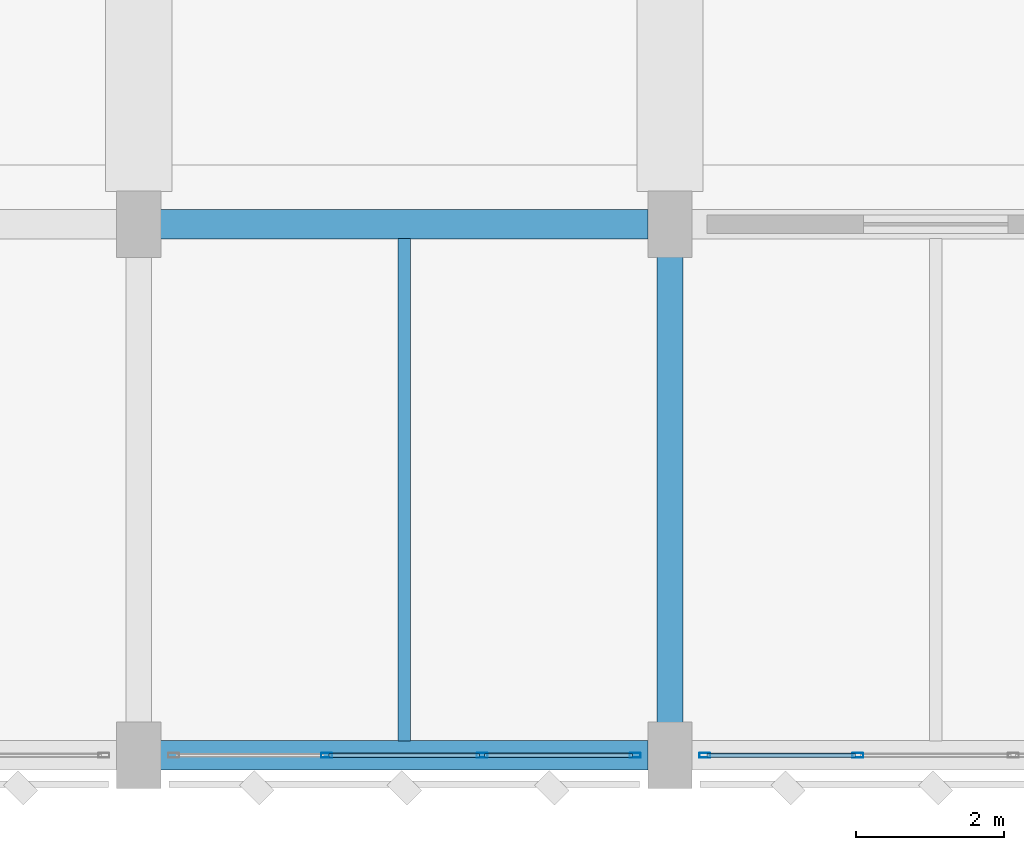
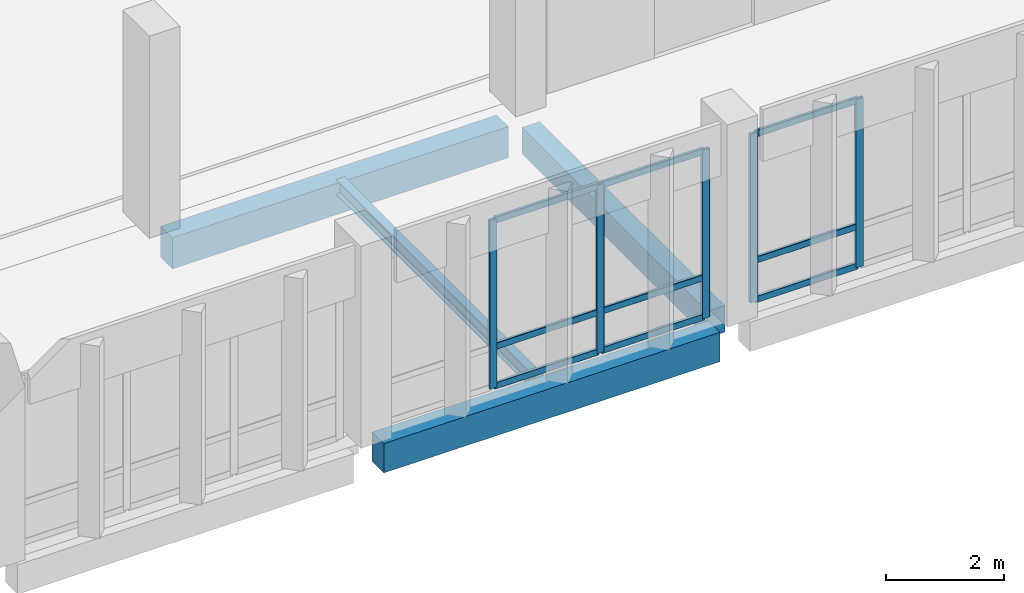
# One storey, part 75 of 158: 14 members, 4 beams, 2 elements without a shape of their own.
"""IFC4 building model written with IfcOpenShell, lengths in metres."""

from ifc_helpers import new_model, si_unit, direction, frame, origin, origin_2d, place, context, subcontext, project, spatial, rectangle, hollow_rectangle, i_section, extrude, material, material_profile, profile_set, type_object, element, aggregate, save


model = new_model("IFC4")

# Units and contexts
model_context = context("Model", 3, precision=1e-05, world=origin(), true_north=direction((0.0, 1.0)))
body_context = subcontext(model_context, "Body", "Model", "MODEL_VIEW")
ifc_project = project(units=[si_unit("LENGTHUNIT", "METRE"), si_unit("AREAUNIT", "SQUARE_METRE"), si_unit("VOLUMEUNIT", "CUBIC_METRE"), si_unit("PLANEANGLEUNIT", "RADIAN"), si_unit("MASSUNIT", "GRAM", prefix="KILO")], contexts=[model_context])

# Site, building, storey
site_placement = place(None, origin())
site = spatial("IfcSite", under=ifc_project, at=site_placement, CompositionType="ELEMENT")
building_placement = place(site_placement, origin())
building = spatial("IfcBuilding", under=site, at=building_placement, Name="Lusvemor Sports Hall", CompositionType="ELEMENT")
storey_placement = place(building_placement, frame((0.0, 0.0, 10.800048828125)))
storey = spatial("IfcBuildingStorey", under=building, at=storey_placement, Name="L02", CompositionType="ELEMENT", Elevation=10.800048828125)

# Beams
ifc_material_1 = material(Name="Concrete C40/50", Category="concrete")
ifc_material_profile_1 = material_profile(ifc_material_1, rectangle(XDim=0.35009765625, YDim=0.550048828125, at=origin_2d()), Name="RC350x550")
ifc_profile_set_1 = profile_set([ifc_material_profile_1], Name="Concrete C40/50")
beam_type_1 = type_object("IfcBeamType", Name="BEAM_RC_550", PredefinedType="BEAM", material=ifc_profile_set_1)
beam_1_placement = place(storey_placement, frame((147.60009765625, 0.446044921875, -0.53515625), z_axis=(0.0, 1.0, 0.0), x_axis=(-1.0, 0.0, 0.0)))
element("IfcBeam", 1, at=beam_1_placement, inside=storey, type_object=beam_type_1, Name="Beam L02 17:A-B", PredefinedType="BEAM", context=body_context, shape_type="SweptSolid", body=[
    extrude(rectangle(XDim=0.35009765625, YDim=0.550048828125, at=origin_2d()), origin(), (0.0, 0.0, 1.0), 6.307861328125),
])
ifc_material_2 = material(Name="Concrete C40/50", Category="concrete")
ifc_material_profile_2 = material_profile(ifc_material_2, rectangle(XDim=0.39990234375, YDim=0.64990234375, at=origin_2d()), Name="RC400x650")
ifc_profile_set_2 = profile_set([ifc_material_profile_2], Name="Concrete C40/50")
beam_type_2 = type_object("IfcBeamType", Name="BEAM_RC_650", PredefinedType="BEAM", material=ifc_profile_set_2)
beam_2_placement = place(storey_placement, frame((140.696044921875, 7.199951171875, -0.675048828125), z_axis=(1.0, 0.0, 0.0), x_axis=(0.0, 1.0, 0.0)))
element("IfcBeam", 2, at=beam_2_placement, inside=storey, type_object=beam_type_2, Name="Beam L02 B:16-17", PredefinedType="BEAM", context=body_context, shape_type="SweptSolid", body=[
    extrude(rectangle(XDim=0.39990234375, YDim=0.64990234375, at=origin_2d()), origin(), (0.0, 0.0, 1.0), 6.60791015625),
])

# Curtain wall, members
ifc_material_3 = material(Name="Thermally broken bronze-anodized aluminium", Category="aluminium")
curtain_wall_type = type_object("IfcCurtainWallType", Name="CW_COURT_C", PredefinedType="NOTDEFINED", material=ifc_material_3)
curtain_wall_1_placement = place(storey_placement, origin())
curtain_wall_1 = element("IfcCurtainWall", 3, at=curtain_wall_1_placement, inside=storey, type_object=curtain_wall_type, Name="Curtain Wall CW-V2S-L02-3", PredefinedType="NOTDEFINED")
ifc_material_4 = material(Name="Thermally broken bronze-anodized aluminium", Category="aluminium")
ifc_material_profile_3 = material_profile(ifc_material_4, hollow_rectangle(XDim=0.06494140625, YDim=0.14990234375, WallThickness=0.00390625, InnerFilletRadius=0.00390625, OuterFilletRadius=0.008056640625, at=origin_2d()), Name="CWMUL150x65x4")
ifc_profile_set_3 = profile_set([ifc_material_profile_3], Name="Thermally broken bronze-anodized aluminium")
member_type_1 = type_object("IfcMemberType", Name="CW_MUL_B", PredefinedType="MULLION", material=ifc_profile_set_3)
member_1_placement = place(storey_placement, frame((147.12744140625, 0.0, 0.0), z_axis=(0.0, 0.0, 1.0), x_axis=(0.0, -1.0, 0.0)))
member_1 = element("IfcMember", 4, at=member_1_placement, type_object=member_type_1, Name="CW03 mullion 1", PredefinedType="MULLION", context=body_context, shape_type="SweptSolid", body=[
    extrude(hollow_rectangle(XDim=0.06494140625, YDim=0.14990234375, WallThickness=0.00390625, InnerFilletRadius=0.00390625, OuterFilletRadius=0.008056640625, at=origin_2d()), origin(), (0.0, 0.0, 1.0), 3.5),
])
member_2_placement = place(storey_placement, frame((145.05322265625, 0.0, 0.0), z_axis=(0.0, 0.0, 1.0), x_axis=(0.0, -1.0, 0.0)))
member_2 = element("IfcMember", 5, at=member_2_placement, type_object=member_type_1, Name="CW03 mullion 2", PredefinedType="MULLION", context=body_context, shape_type="SweptSolid", body=[
    extrude(hollow_rectangle(XDim=0.06494140625, YDim=0.14990234375, WallThickness=0.00390625, InnerFilletRadius=0.00390625, OuterFilletRadius=0.008056640625, at=origin_2d()), origin(), (0.0, 0.0, 1.0), 3.5),
])
member_3_placement = place(storey_placement, frame((142.94677734375, 0.0, 0.0), z_axis=(0.0, 0.0, 1.0), x_axis=(0.0, -1.0, 0.0)))
member_3 = element("IfcMember", 6, at=member_3_placement, type_object=member_type_1, Name="CW03 mullion 3", PredefinedType="MULLION", context=body_context, shape_type="SweptSolid", body=[
    extrude(hollow_rectangle(XDim=0.06494140625, YDim=0.14990234375, WallThickness=0.00390625, InnerFilletRadius=0.00390625, OuterFilletRadius=0.008056640625, at=origin_2d()), origin(), (0.0, 0.0, 1.0), 3.5),
])

curtain_wall_2_placement = place(storey_placement, origin())
curtain_wall_2 = element("IfcCurtainWall", 7, at=curtain_wall_2_placement, inside=storey, type_object=curtain_wall_type, Name="Curtain Wall CW-V2S-L02-4", PredefinedType="NOTDEFINED")
member_4_placement = place(storey_placement, frame((150.146728515625, 0.0, 0.0), z_axis=(0.0, 0.0, 1.0), x_axis=(0.0, -1.0, 0.0)))
member_4 = element("IfcMember", 8, at=member_4_placement, type_object=member_type_1, Name="CW03 mullion 3", PredefinedType="MULLION", context=body_context, shape_type="SweptSolid", body=[
    extrude(hollow_rectangle(XDim=0.06494140625, YDim=0.14990234375, WallThickness=0.00390625, InnerFilletRadius=0.00390625, OuterFilletRadius=0.008056640625, at=origin_2d()), origin(), (0.0, 0.0, 1.0), 3.5),
])
member_5_placement = place(storey_placement, frame((148.072509765625, 0.0, 0.0), z_axis=(0.0, 0.0, 1.0), x_axis=(0.0, -1.0, 0.0)))
member_5 = element("IfcMember", 9, at=member_5_placement, type_object=member_type_1, Name="CW03 mullion 4", PredefinedType="MULLION", context=body_context, shape_type="SweptSolid", body=[
    extrude(hollow_rectangle(XDim=0.06494140625, YDim=0.14990234375, WallThickness=0.00390625, InnerFilletRadius=0.00390625, OuterFilletRadius=0.008056640625, at=origin_2d()), origin(), (0.0, 0.0, 1.0), 3.5),
])

# Member
ifc_material_5 = material(Name="Thermally broken bronze-anodized aluminium", Category="aluminium")
ifc_material_profile_4 = material_profile(ifc_material_5, hollow_rectangle(XDim=0.06005859375, YDim=0.135009765625, WallThickness=0.00390625, InnerFilletRadius=0.00390625, OuterFilletRadius=0.008056640625, at=origin_2d()), Name="CWTRN135x60x4")
ifc_profile_set_4 = profile_set([ifc_material_profile_4], Name="Thermally broken bronze-anodized aluminium")
member_type_2 = type_object("IfcMemberType", Name="CW_TRN_B", PredefinedType="USERDEFINED", material=ifc_profile_set_4)
member_6_placement = place(storey_placement, frame((147.094970703125, 0.0, 0.030029296875), z_axis=(-1.0, 0.0, 0.0), x_axis=(0.0, -1.0, 0.0)))
member_6 = element("IfcMember", 10, at=member_6_placement, type_object=member_type_2, Name="CW03 transom 1.1", ObjectType="TRANSOM", PredefinedType="USERDEFINED", context=body_context, shape_type="SweptSolid", body=[
    extrude(hollow_rectangle(XDim=0.06005859375, YDim=0.135009765625, WallThickness=0.00390625, InnerFilletRadius=0.00390625, OuterFilletRadius=0.008056640625, at=origin_2d()), origin(), (0.0, 0.0, 1.0), 2.009033203125),
])

member_7_placement = place(storey_placement, frame((147.094970703125, 0.0, 0.849853515625), z_axis=(-1.0, 0.0, 0.0), x_axis=(0.0, -1.0, 0.0)))
member_7 = element("IfcMember", 11, at=member_7_placement, type_object=member_type_2, Name="CW03 transom 1.2", ObjectType="TRANSOM", PredefinedType="USERDEFINED", context=body_context, shape_type="SweptSolid", body=[
    extrude(hollow_rectangle(XDim=0.06005859375, YDim=0.135009765625, WallThickness=0.00390625, InnerFilletRadius=0.00390625, OuterFilletRadius=0.008056640625, at=origin_2d()), origin(), (0.0, 0.0, 1.0), 2.009033203125),
])

member_8_placement = place(storey_placement, frame((147.094970703125, 0.0, 3.469970703125), z_axis=(-1.0, 0.0, 0.0), x_axis=(0.0, -1.0, 0.0)))
member_8 = element("IfcMember", 12, at=member_8_placement, type_object=member_type_2, Name="CW03 transom 1.3", ObjectType="TRANSOM", PredefinedType="USERDEFINED", context=body_context, shape_type="SweptSolid", body=[
    extrude(hollow_rectangle(XDim=0.06005859375, YDim=0.135009765625, WallThickness=0.00390625, InnerFilletRadius=0.00390625, OuterFilletRadius=0.008056640625, at=origin_2d()), origin(), (0.0, 0.0, 1.0), 2.009033203125),
])

member_9_placement = place(storey_placement, frame((145.020751953125, 0.0, 0.030029296875), z_axis=(-1.0, 0.0, 0.0), x_axis=(0.0, -1.0, 0.0)))
member_9 = element("IfcMember", 13, at=member_9_placement, type_object=member_type_2, Name="CW03 transom 2.1", ObjectType="TRANSOM", PredefinedType="USERDEFINED", context=body_context, shape_type="SweptSolid", body=[
    extrude(hollow_rectangle(XDim=0.06005859375, YDim=0.135009765625, WallThickness=0.00390625, InnerFilletRadius=0.00390625, OuterFilletRadius=0.008056640625, at=origin_2d()), origin(), (0.0, 0.0, 1.0), 2.04150390625),
])

member_10_placement = place(storey_placement, frame((145.020751953125, 0.0, 0.849853515625), z_axis=(-1.0, 0.0, 0.0), x_axis=(0.0, -1.0, 0.0)))
member_10 = element("IfcMember", 14, at=member_10_placement, type_object=member_type_2, Name="CW03 transom 2.2", ObjectType="TRANSOM", PredefinedType="USERDEFINED", context=body_context, shape_type="SweptSolid", body=[
    extrude(hollow_rectangle(XDim=0.06005859375, YDim=0.135009765625, WallThickness=0.00390625, InnerFilletRadius=0.00390625, OuterFilletRadius=0.008056640625, at=origin_2d()), origin(), (0.0, 0.0, 1.0), 2.04150390625),
])

member_11_placement = place(storey_placement, frame((145.020751953125, 0.0, 3.469970703125), z_axis=(-1.0, 0.0, 0.0), x_axis=(0.0, -1.0, 0.0)))
member_11 = element("IfcMember", 15, at=member_11_placement, type_object=member_type_2, Name="CW03 transom 2.3", ObjectType="TRANSOM", PredefinedType="USERDEFINED", context=body_context, shape_type="SweptSolid", body=[
    extrude(hollow_rectangle(XDim=0.06005859375, YDim=0.135009765625, WallThickness=0.00390625, InnerFilletRadius=0.00390625, OuterFilletRadius=0.008056640625, at=origin_2d()), origin(), (0.0, 0.0, 1.0), 2.04150390625),
])

aggregate(curtain_wall_1, [member_1, member_2, member_3, member_6, member_7, member_8, member_9, member_10, member_11])

member_12_placement = place(storey_placement, frame((150.1142578125, 0.0, 0.030029296875), z_axis=(-1.0, 0.0, 0.0), x_axis=(0.0, -1.0, 0.0)))
member_12 = element("IfcMember", 16, at=member_12_placement, type_object=member_type_2, Name="CW03 transom 3.1", ObjectType="TRANSOM", PredefinedType="USERDEFINED", context=body_context, shape_type="SweptSolid", body=[
    extrude(hollow_rectangle(XDim=0.06005859375, YDim=0.135009765625, WallThickness=0.00390625, InnerFilletRadius=0.00390625, OuterFilletRadius=0.008056640625, at=origin_2d()), origin(), (0.0, 0.0, 1.0), 2.00927734375),
])

member_13_placement = place(storey_placement, frame((150.1142578125, 0.0, 0.849853515625), z_axis=(-1.0, 0.0, 0.0), x_axis=(0.0, -1.0, 0.0)))
member_13 = element("IfcMember", 17, at=member_13_placement, type_object=member_type_2, Name="CW03 transom 3.2", ObjectType="TRANSOM", PredefinedType="USERDEFINED", context=body_context, shape_type="SweptSolid", body=[
    extrude(hollow_rectangle(XDim=0.06005859375, YDim=0.135009765625, WallThickness=0.00390625, InnerFilletRadius=0.00390625, OuterFilletRadius=0.008056640625, at=origin_2d()), origin(), (0.0, 0.0, 1.0), 2.00927734375),
])

member_14_placement = place(storey_placement, frame((150.1142578125, 0.0, 3.469970703125), z_axis=(-1.0, 0.0, 0.0), x_axis=(0.0, -1.0, 0.0)))
member_14 = element("IfcMember", 18, at=member_14_placement, type_object=member_type_2, Name="CW03 transom 3.3", ObjectType="TRANSOM", PredefinedType="USERDEFINED", context=body_context, shape_type="SweptSolid", body=[
    extrude(hollow_rectangle(XDim=0.06005859375, YDim=0.135009765625, WallThickness=0.00390625, InnerFilletRadius=0.00390625, OuterFilletRadius=0.008056640625, at=origin_2d()), origin(), (0.0, 0.0, 1.0), 2.00927734375),
])

aggregate(curtain_wall_2, [member_4, member_5, member_12, member_13, member_14])

# Beams
ifc_material_6 = material(Name="Steel S355", Category="steel")
ifc_material_profile_5 = material_profile(ifc_material_6, i_section(OverallWidth=0.1669921875, OverallDepth=0.31689453125, WebThickness=0.007568359375, FlangeThickness=0.01318359375, FilletRadius=0.014892578125, at=origin_2d()), Name="W310x52.0")
ifc_profile_set_5 = profile_set([ifc_material_profile_5], Name="Steel S355")
beam_type_3 = type_object("IfcBeamType", Name="JOIST_ST_310M", PredefinedType="JOIST", material=ifc_profile_set_5)
beam_3_placement = place(storey_placement, frame((144.0, 0.196044921875, -0.422607421875), z_axis=(0.0, 1.0, 0.0), x_axis=(-1.0, 0.0, 0.0)))
element("IfcBeam", 19, at=beam_3_placement, inside=storey, type_object=beam_type_3, Name="Secondary Joist L02 16-17/A-B #1", PredefinedType="JOIST", context=body_context, shape_type="SweptSolid", body=[
    extrude(i_section(OverallWidth=0.1669921875, OverallDepth=0.31689453125, WebThickness=0.007568359375, FlangeThickness=0.01318359375, FilletRadius=0.014892578125, at=origin_2d()), origin(), (0.0, 0.0, 1.0), 6.807861328125),
])
ifc_material_7 = material(Name="Concrete C40/50", Category="concrete")
ifc_material_profile_6 = material_profile(ifc_material_7, rectangle(XDim=0.39990234375, YDim=0.610107421875, at=origin_2d()), Name="RC400x610")
ifc_profile_set_6 = profile_set([ifc_material_profile_6], Name="Concrete C40/50")
beam_type_4 = type_object("IfcBeamType", Name="SPAND_EXT_650", PredefinedType="SPANDREL", material=ifc_profile_set_6)
beam_4_placement = place(storey_placement, frame((140.696044921875, 0.0, -0.56494140625), z_axis=(1.0, 0.0, 0.0), x_axis=(0.0, 1.0, 0.0)))
element("IfcBeam", 20, at=beam_4_placement, inside=storey, type_object=beam_type_4, Name="Beam L02 A:16-17", PredefinedType="SPANDREL", context=body_context, shape_type="SweptSolid", body=[
    extrude(rectangle(XDim=0.39990234375, YDim=0.610107421875, at=origin_2d()), origin(), (0.0, 0.0, 1.0), 6.60791015625),
])

save(model, "model.ifc")
